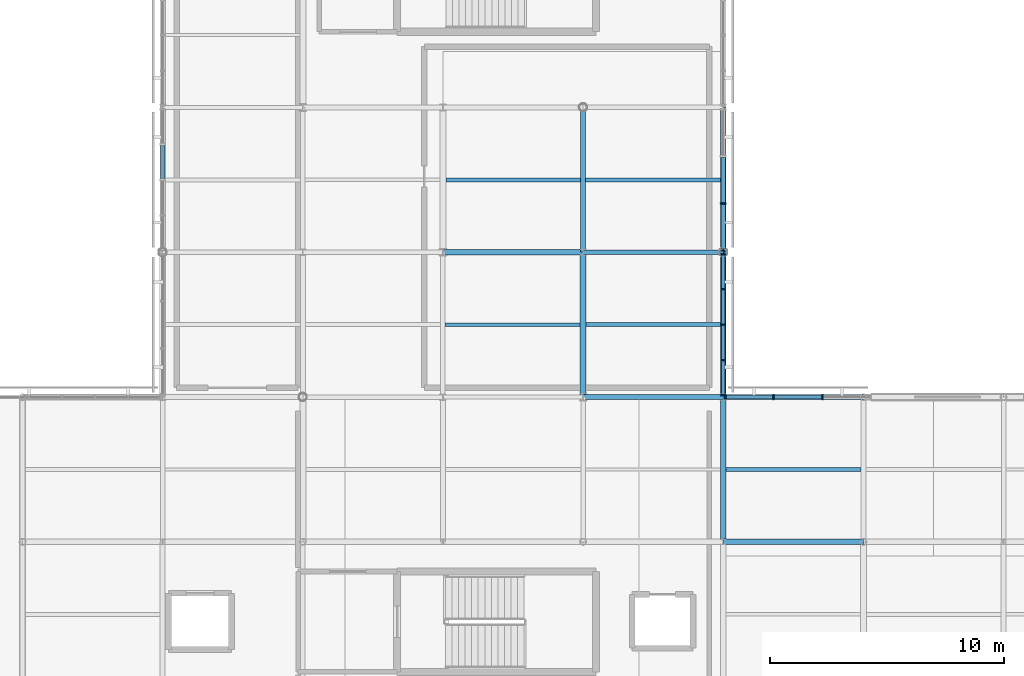
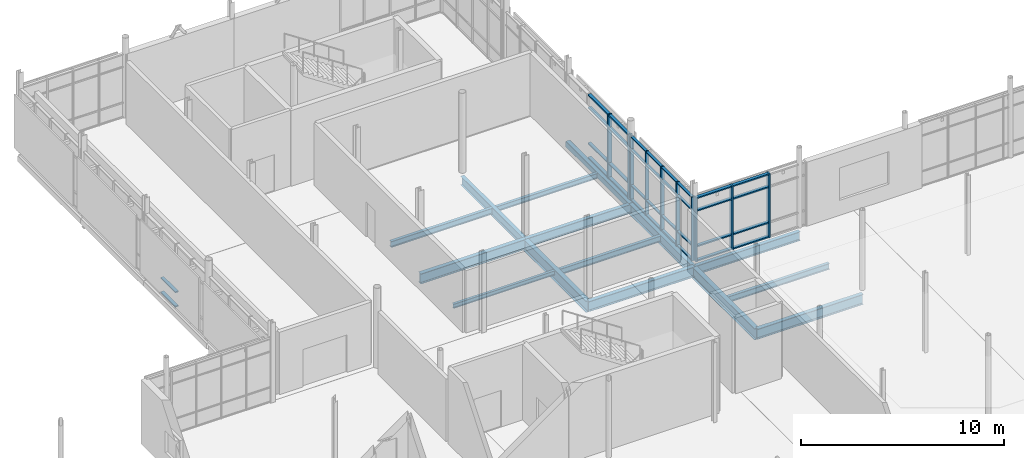
# One storey, part 31 of 66: 44 members, 15 beams, 4 elements without a shape of their own.
"""IFC4 building model written with IfcOpenShell, lengths in metres."""

from ifc_helpers import new_model, si_unit, direction, frame, origin, origin_2d, place, context, subcontext, project, spatial, rectangle, hollow_rectangle, i_section, extrude, material, layer, layer_set, material_profile, profile_set, type_object, element, aggregate, save


model = new_model("IFC4")

# Units and contexts
model_context = context("Model", 3, precision=1e-05, world=origin(), true_north=direction((0.0, 1.0)))
body_context = subcontext(model_context, "Body", "Model", "MODEL_VIEW")
ifc_project = project(units=[si_unit("LENGTHUNIT", "METRE"), si_unit("AREAUNIT", "SQUARE_METRE"), si_unit("VOLUMEUNIT", "CUBIC_METRE"), si_unit("PLANEANGLEUNIT", "RADIAN"), si_unit("MASSUNIT", "GRAM", prefix="KILO")], contexts=[model_context])

# Site, building, storey
site_placement = place(None, origin())
site = spatial("IfcSite", under=ifc_project, at=site_placement, CompositionType="ELEMENT")
building_placement = place(site_placement, origin())
building = spatial("IfcBuilding", under=site, at=building_placement, Name="Mirzam Square Science Centre", CompositionType="ELEMENT")
storey_placement = place(building_placement, frame((0.0, 0.0, 15.60009765625)))
storey = spatial("IfcBuildingStorey", under=building, at=storey_placement, Name="L03", CompositionType="ELEMENT", Elevation=15.60009765625)

# Beams
ifc_material_1 = material(Name="Steel S355", Category="steel")
ifc_material_profile_1 = material_profile(ifc_material_1, i_section(OverallWidth=0.2099609375, OverallDepth=0.53662109375, WebThickness=0.0107421875, FlangeThickness=0.017333984375, FilletRadius=0.0126953125, at=origin_2d()), Name="533x210x101UB")
ifc_profile_set_1 = profile_set([ifc_material_profile_1], Name="Steel S355")
beam_type_1 = type_object("IfcBeamType", Name="BM-UB533", PredefinedType="BEAM", material=ifc_profile_set_1)
for number, where, z_axis, x_axis, name in (
    (1, (138.0, 86.800048828125, -0.5185546875), (1.0, 0.0, 0.0), (0.0, 1.0, 0.0), "L03 girder X24-15"),
    (2, (132.0, 93.0, -0.5185546875), (1.0, 0.0, 0.0), (0.0, 1.0, 0.0), "L03 girder X23-16"),
):
    element("IfcBeam", number, at=place(storey_placement, frame(where, z_axis=z_axis, x_axis=x_axis)), inside=storey, type_object=beam_type_1, Name=name, PredefinedType="BEAM", context=body_context, shape_type="SweptSolid", body=[
        extrude(i_section(OverallWidth=0.2099609375, OverallDepth=0.53662109375, WebThickness=0.0107421875, FlangeThickness=0.017333984375, FilletRadius=0.0126953125, at=origin_2d()), origin(), (0.0, 0.0, 1.0), 6.0),
    ])
beam_1_placement = place(storey_placement, frame((132.0, 93.0, -0.5185546875), z_axis=(0.0, 1.0, 0.0), x_axis=(-1.0, 0.0, 0.0)))
element("IfcBeam", 3, at=beam_1_placement, inside=storey, type_object=beam_type_1, Name="L03 girder Y23-16", PredefinedType="BEAM", context=body_context, shape_type="SweptSolid", body=[
    extrude(i_section(OverallWidth=0.2099609375, OverallDepth=0.53662109375, WebThickness=0.0107421875, FlangeThickness=0.017333984375, FilletRadius=0.0126953125, at=origin_2d()), origin(), (0.0, 0.0, 1.0), 6.199951171875),
])
ifc_material_profile_2 = material_profile(ifc_material_1, i_section(OverallWidth=0.22900390625, OverallDepth=0.6123046875, WebThickness=0.011962890625, FlangeThickness=0.01953125, FilletRadius=0.0126953125, at=origin_2d()), Name="610x229x125UB")
ifc_profile_set_2 = profile_set([ifc_material_profile_2], Name="Steel S355")
beam_type_2 = type_object("IfcBeamType", Name="BM-UB610", PredefinedType="BEAM", material=ifc_profile_set_2)
for number, where, z_axis, x_axis, name in (
    (4, (138.0, 80.60009765625, -0.55615234375), (1.0, 0.0, 0.0), (0.0, 1.0, 0.0), "L03 girder X24-14"),
    (5, (132.0, 86.800048828125, -0.55615234375), (1.0, 0.0, 0.0), (0.0, 1.0, 0.0), "L03 girder X23-15"),
    (6, (126.0, 93.0, -0.55615234375), (1.0, 0.0, 0.0), (0.0, 1.0, 0.0), "L03 girder X22-16"),
):
    element("IfcBeam", number, at=place(storey_placement, frame(where, z_axis=z_axis, x_axis=x_axis)), inside=storey, type_object=beam_type_2, Name=name, PredefinedType="BEAM", context=body_context, shape_type="SweptSolid", body=[
        extrude(i_section(OverallWidth=0.22900390625, OverallDepth=0.6123046875, WebThickness=0.011962890625, FlangeThickness=0.01953125, FilletRadius=0.0126953125, at=origin_2d()), origin(), (0.0, 0.0, 1.0), 6.0),
    ])
beam_2_placement = place(storey_placement, frame((138.0, 86.800048828125, -0.55615234375), z_axis=(0.0, 1.0, 0.0), x_axis=(-1.0, 0.0, 0.0)))
element("IfcBeam", 7, at=beam_2_placement, inside=storey, type_object=beam_type_2, Name="L03 girder Y24-15", PredefinedType="BEAM", context=body_context, shape_type="SweptSolid", body=[
    extrude(i_section(OverallWidth=0.22900390625, OverallDepth=0.6123046875, WebThickness=0.011962890625, FlangeThickness=0.01953125, FilletRadius=0.0126953125, at=origin_2d()), origin(), (0.0, 0.0, 1.0), 6.199951171875),
])
ifc_material_profile_3 = material_profile(ifc_material_1, i_section(OverallWidth=0.25439453125, OverallDepth=0.6875, WebThickness=0.01318359375, FlangeThickness=0.02099609375, FilletRadius=0.01513671875, at=origin_2d()), Name="686x254x152UB")
ifc_profile_set_3 = profile_set([ifc_material_profile_3], Name="Steel S355")
beam_type_3 = type_object("IfcBeamType", Name="BM-UB686", PredefinedType="BEAM", material=ifc_profile_set_3)
for number, where, z_axis, x_axis, name in (
    (8, (132.0, 86.800048828125, -0.593994140625), (0.0, 1.0, 0.0), (-1.0, 0.0, 0.0), "L03 girder Y23-15"),
    (9, (138.0, 80.60009765625, -0.593994140625), (0.0, 1.0, 0.0), (-1.0, 0.0, 0.0), "L03 girder Y24-14"),
):
    element("IfcBeam", number, at=place(storey_placement, frame(where, z_axis=z_axis, x_axis=x_axis)), inside=storey, type_object=beam_type_3, Name=name, PredefinedType="BEAM", context=body_context, shape_type="SweptSolid", body=[
        extrude(i_section(OverallWidth=0.25439453125, OverallDepth=0.6875, WebThickness=0.01318359375, FlangeThickness=0.02099609375, FilletRadius=0.01513671875, at=origin_2d()), origin(), (0.0, 0.0, 1.0), 6.199951171875),
    ])

# Curtain wall, members
ifc_material_2 = material(Name="Anodised Aluminium and Low-E Solar Glass", Category="aluminium")
ifc_layer_1 = layer(ifc_material_2, 0.199951171875)
ifc_layer_set_1 = layer_set([ifc_layer_1], Name="CW-EAST-A")
curtain_wall_type_1 = type_object("IfcCurtainWallType", Name="CW-EAST-A", PredefinedType="USERDEFINED", material=ifc_layer_set_1)
curtain_wall_1_placement = place(storey_placement, origin())
curtain_wall_1 = element("IfcCurtainWall", 10, at=curtain_wall_1_placement, inside=storey, type_object=curtain_wall_type_1, Name="L03 unitised curtain wall 139", ObjectType="UNITISED CURTAIN WALL", PredefinedType="USERDEFINED")
ifc_material_3 = material(Name="Anodised Architectural Aluminium 6063-T6", Category="aluminium")
ifc_material_profile_4 = material_profile(ifc_material_3, rectangle(XDim=0.06494140625, YDim=0.199951171875, at=origin_2d()), Name="ALU-MULL-200x65x5")
ifc_profile_set_4 = profile_set([ifc_material_profile_4], Name="Anodised Architectural Aluminium 6063-T6")
member_type_1 = type_object("IfcMemberType", Name="CWM-200", PredefinedType="MULLION", material=ifc_profile_set_4)
member_1_placement = place(storey_placement, frame((138.0, 86.887451171875, 0.0), z_axis=(0.0, 0.0, 1.0), x_axis=(0.0, 1.0, 0.0)))
member_1 = element("IfcMember", 11, at=member_1_placement, type_object=member_type_1, Name="CW-05 mullion 1", PredefinedType="MULLION", context=body_context, shape_type="SweptSolid", body=[
    extrude(rectangle(XDim=0.06494140625, YDim=0.199951171875, at=origin_2d()), origin(), (0.0, 0.0, 1.0), 3.83984375),
])
member_2_placement = place(storey_placement, frame((138.0, 88.37744140625, 0.0), z_axis=(0.0, 0.0, 1.0), x_axis=(0.0, 1.0, 0.0)))
member_2 = element("IfcMember", 12, at=member_2_placement, type_object=member_type_1, Name="CW-05 mullion 2", PredefinedType="MULLION", context=body_context, shape_type="SweptSolid", body=[
    extrude(rectangle(XDim=0.06494140625, YDim=0.199951171875, at=origin_2d()), origin(), (0.0, 0.0, 1.0), 3.83984375),
])
member_3_placement = place(storey_placement, frame((138.0, 89.89990234375, 0.0), z_axis=(0.0, 0.0, 1.0), x_axis=(0.0, 1.0, 0.0)))
member_3 = element("IfcMember", 13, at=member_3_placement, type_object=member_type_1, Name="CW-05 mullion 3", PredefinedType="MULLION", context=body_context, shape_type="SweptSolid", body=[
    extrude(rectangle(XDim=0.06494140625, YDim=0.199951171875, at=origin_2d()), origin(), (0.0, 0.0, 1.0), 3.83984375),
])
member_4_placement = place(storey_placement, frame((138.0, 91.422607421875, 0.0), z_axis=(0.0, 0.0, 1.0), x_axis=(0.0, 1.0, 0.0)))
member_4 = element("IfcMember", 14, at=member_4_placement, type_object=member_type_1, Name="CW-05 mullion 4", PredefinedType="MULLION", context=body_context, shape_type="SweptSolid", body=[
    extrude(rectangle(XDim=0.06494140625, YDim=0.199951171875, at=origin_2d()), origin(), (0.0, 0.0, 1.0), 3.83984375),
])
member_5_placement = place(storey_placement, frame((138.0, 92.91259765625, 0.0), z_axis=(0.0, 0.0, 1.0), x_axis=(0.0, 1.0, 0.0)))
member_5 = element("IfcMember", 15, at=member_5_placement, type_object=member_type_1, Name="CW-05 mullion 5", PredefinedType="MULLION", context=body_context, shape_type="SweptSolid", body=[
    extrude(rectangle(XDim=0.06494140625, YDim=0.199951171875, at=origin_2d()), origin(), (0.0, 0.0, 1.0), 3.83984375),
])

ifc_layer_2 = layer(ifc_material_2, 0.239990234375)
ifc_layer_set_2 = layer_set([ifc_layer_2], Name="CW-EAST-B")
curtain_wall_type_2 = type_object("IfcCurtainWallType", Name="CW-EAST-B", PredefinedType="USERDEFINED", material=ifc_layer_set_2)
curtain_wall_2_placement = place(storey_placement, origin())
curtain_wall_2 = element("IfcCurtainWall", 16, at=curtain_wall_2_placement, inside=storey, type_object=curtain_wall_type_2, Name="L03 unitised curtain wall 131", ObjectType="UNITISED CURTAIN WALL", PredefinedType="USERDEFINED")
ifc_material_profile_5 = material_profile(ifc_material_3, rectangle(XDim=0.074951171875, YDim=0.239990234375, at=origin_2d()), Name="ALU-MULL-240x75x5")
ifc_profile_set_5 = profile_set([ifc_material_profile_5], Name="Anodised Architectural Aluminium 6063-T6")
member_type_2 = type_object("IfcMemberType", Name="CWM-240", PredefinedType="MULLION", material=ifc_profile_set_5)
member_6_placement = place(storey_placement, frame((142.248291015625, 86.800048828125, 0.0), z_axis=(0.0, 0.0, 1.0), x_axis=(-1.0, 0.0, 0.0)))
member_6 = element("IfcMember", 17, at=member_6_placement, type_object=member_type_2, Name="CW-06 mullion 2", PredefinedType="MULLION", context=body_context, shape_type="SweptSolid", body=[
    extrude(rectangle(XDim=0.074951171875, YDim=0.239990234375, at=origin_2d()), origin(), (0.0, 0.0, 1.0), 3.83984375),
])
member_7_placement = place(storey_placement, frame((140.151611328125, 86.800048828125, 0.0), z_axis=(0.0, 0.0, 1.0), x_axis=(-1.0, 0.0, 0.0)))
member_7 = element("IfcMember", 18, at=member_7_placement, type_object=member_type_2, Name="CW-06 mullion 3", PredefinedType="MULLION", context=body_context, shape_type="SweptSolid", body=[
    extrude(rectangle(XDim=0.074951171875, YDim=0.239990234375, at=origin_2d()), origin(), (0.0, 0.0, 1.0), 3.83984375),
])
member_8_placement = place(storey_placement, frame((138.092529296875, 86.800048828125, 0.0), z_axis=(0.0, 0.0, 1.0), x_axis=(-1.0, 0.0, 0.0)))
member_8 = element("IfcMember", 19, at=member_8_placement, type_object=member_type_2, Name="CW-06 mullion 4", PredefinedType="MULLION", context=body_context, shape_type="SweptSolid", body=[
    extrude(rectangle(XDim=0.074951171875, YDim=0.239990234375, at=origin_2d()), origin(), (0.0, 0.0, 1.0), 3.83984375),
])

curtain_wall_3_placement = place(storey_placement, origin())
curtain_wall_3 = element("IfcCurtainWall", 20, at=curtain_wall_3_placement, inside=storey, type_object=curtain_wall_type_2, Name="L03 unitised curtain wall 141", ObjectType="UNITISED CURTAIN WALL", PredefinedType="USERDEFINED")
member_9_placement = place(storey_placement, frame((138.0, 93.092529296875, 0.0), z_axis=(0.0, 0.0, 1.0), x_axis=(0.0, 1.0, 0.0)))
member_9 = element("IfcMember", 21, at=member_9_placement, type_object=member_type_2, Name="CW-06 mullion 1", PredefinedType="MULLION", context=body_context, shape_type="SweptSolid", body=[
    extrude(rectangle(XDim=0.074951171875, YDim=0.239990234375, at=origin_2d()), origin(), (0.0, 0.0, 1.0), 3.83984375),
])
member_10_placement = place(storey_placement, frame((138.0, 95.0849609375, 0.0), z_axis=(0.0, 0.0, 1.0), x_axis=(0.0, 1.0, 0.0)))
member_10 = element("IfcMember", 22, at=member_10_placement, type_object=member_type_2, Name="CW-06 mullion 2", PredefinedType="MULLION", context=body_context, shape_type="SweptSolid", body=[
    extrude(rectangle(XDim=0.074951171875, YDim=0.239990234375, at=origin_2d()), origin(), (0.0, 0.0, 1.0), 3.83984375),
])

# Member
ifc_material_profile_6 = material_profile(ifc_material_3, rectangle(XDim=0.14990234375, YDim=0.06494140625, at=origin_2d()), Name="ALU-TRAN-150x65x4")
ifc_profile_set_6 = profile_set([ifc_material_profile_6], Name="Anodised Architectural Aluminium 6063-T6")
member_type_3 = type_object("IfcMemberType", Name="CWT-150", PredefinedType="USERDEFINED", material=ifc_profile_set_6)
member_11_placement = place(storey_placement, frame((138.0, 86.919921875, 0.032470703125), z_axis=(0.0, 1.0, 0.0), x_axis=(-1.0, 0.0, 0.0)))
member_11 = element("IfcMember", 23, at=member_11_placement, type_object=member_type_3, Name="CW-05 transom 1.1", ObjectType="TRANSOM", PredefinedType="USERDEFINED", context=body_context, shape_type="SweptSolid", body=[
    extrude(rectangle(XDim=0.14990234375, YDim=0.06494140625, at=origin_2d()), origin(), (0.0, 0.0, 1.0), 1.425048828125),
])

member_12_placement = place(storey_placement, frame((138.0, 86.919921875, 0.89990234375), z_axis=(0.0, 1.0, 0.0), x_axis=(-1.0, 0.0, 0.0)))
member_12 = element("IfcMember", 24, at=member_12_placement, type_object=member_type_3, Name="CW-05 transom 1.2", ObjectType="TRANSOM", PredefinedType="USERDEFINED", context=body_context, shape_type="SweptSolid", body=[
    extrude(rectangle(XDim=0.14990234375, YDim=0.06494140625, at=origin_2d()), origin(), (0.0, 0.0, 1.0), 1.425048828125),
])

member_13_placement = place(storey_placement, frame((138.0, 86.919921875, 3.039794921875), z_axis=(0.0, 1.0, 0.0), x_axis=(-1.0, 0.0, 0.0)))
member_13 = element("IfcMember", 25, at=member_13_placement, type_object=member_type_3, Name="CW-05 transom 1.3", ObjectType="TRANSOM", PredefinedType="USERDEFINED", context=body_context, shape_type="SweptSolid", body=[
    extrude(rectangle(XDim=0.14990234375, YDim=0.06494140625, at=origin_2d()), origin(), (0.0, 0.0, 1.0), 1.425048828125),
])

member_14_placement = place(storey_placement, frame((138.0, 86.919921875, 3.807373046875), z_axis=(0.0, 1.0, 0.0), x_axis=(-1.0, 0.0, 0.0)))
member_14 = element("IfcMember", 26, at=member_14_placement, type_object=member_type_3, Name="CW-05 transom 1.4", ObjectType="TRANSOM", PredefinedType="USERDEFINED", context=body_context, shape_type="SweptSolid", body=[
    extrude(rectangle(XDim=0.14990234375, YDim=0.06494140625, at=origin_2d()), origin(), (0.0, 0.0, 1.0), 1.425048828125),
])

member_15_placement = place(storey_placement, frame((138.0, 88.409912109375, 0.032470703125), z_axis=(0.0, 1.0, 0.0), x_axis=(-1.0, 0.0, 0.0)))
member_15 = element("IfcMember", 27, at=member_15_placement, type_object=member_type_3, Name="CW-05 transom 2.1", ObjectType="TRANSOM", PredefinedType="USERDEFINED", context=body_context, shape_type="SweptSolid", body=[
    extrude(rectangle(XDim=0.14990234375, YDim=0.06494140625, at=origin_2d()), origin(), (0.0, 0.0, 1.0), 1.45751953125),
])

member_16_placement = place(storey_placement, frame((138.0, 88.409912109375, 0.89990234375), z_axis=(0.0, 1.0, 0.0), x_axis=(-1.0, 0.0, 0.0)))
member_16 = element("IfcMember", 28, at=member_16_placement, type_object=member_type_3, Name="CW-05 transom 2.2", ObjectType="TRANSOM", PredefinedType="USERDEFINED", context=body_context, shape_type="SweptSolid", body=[
    extrude(rectangle(XDim=0.14990234375, YDim=0.06494140625, at=origin_2d()), origin(), (0.0, 0.0, 1.0), 1.45751953125),
])

member_17_placement = place(storey_placement, frame((138.0, 88.409912109375, 3.039794921875), z_axis=(0.0, 1.0, 0.0), x_axis=(-1.0, 0.0, 0.0)))
member_17 = element("IfcMember", 29, at=member_17_placement, type_object=member_type_3, Name="CW-05 transom 2.3", ObjectType="TRANSOM", PredefinedType="USERDEFINED", context=body_context, shape_type="SweptSolid", body=[
    extrude(rectangle(XDim=0.14990234375, YDim=0.06494140625, at=origin_2d()), origin(), (0.0, 0.0, 1.0), 1.45751953125),
])

member_18_placement = place(storey_placement, frame((138.0, 88.409912109375, 3.807373046875), z_axis=(0.0, 1.0, 0.0), x_axis=(-1.0, 0.0, 0.0)))
member_18 = element("IfcMember", 30, at=member_18_placement, type_object=member_type_3, Name="CW-05 transom 2.4", ObjectType="TRANSOM", PredefinedType="USERDEFINED", context=body_context, shape_type="SweptSolid", body=[
    extrude(rectangle(XDim=0.14990234375, YDim=0.06494140625, at=origin_2d()), origin(), (0.0, 0.0, 1.0), 1.45751953125),
])

member_19_placement = place(storey_placement, frame((138.0, 89.9326171875, 0.032470703125), z_axis=(0.0, 1.0, 0.0), x_axis=(-1.0, 0.0, 0.0)))
member_19 = element("IfcMember", 31, at=member_19_placement, type_object=member_type_3, Name="CW-05 transom 3.1", ObjectType="TRANSOM", PredefinedType="USERDEFINED", context=body_context, shape_type="SweptSolid", body=[
    extrude(rectangle(XDim=0.14990234375, YDim=0.06494140625, at=origin_2d()), origin(), (0.0, 0.0, 1.0), 1.457275390625),
])

member_20_placement = place(storey_placement, frame((138.0, 89.9326171875, 0.89990234375), z_axis=(0.0, 1.0, 0.0), x_axis=(-1.0, 0.0, 0.0)))
member_20 = element("IfcMember", 32, at=member_20_placement, type_object=member_type_3, Name="CW-05 transom 3.2", ObjectType="TRANSOM", PredefinedType="USERDEFINED", context=body_context, shape_type="SweptSolid", body=[
    extrude(rectangle(XDim=0.14990234375, YDim=0.06494140625, at=origin_2d()), origin(), (0.0, 0.0, 1.0), 1.457275390625),
])

member_21_placement = place(storey_placement, frame((138.0, 89.9326171875, 3.039794921875), z_axis=(0.0, 1.0, 0.0), x_axis=(-1.0, 0.0, 0.0)))
member_21 = element("IfcMember", 33, at=member_21_placement, type_object=member_type_3, Name="CW-05 transom 3.3", ObjectType="TRANSOM", PredefinedType="USERDEFINED", context=body_context, shape_type="SweptSolid", body=[
    extrude(rectangle(XDim=0.14990234375, YDim=0.06494140625, at=origin_2d()), origin(), (0.0, 0.0, 1.0), 1.457275390625),
])

member_22_placement = place(storey_placement, frame((138.0, 89.9326171875, 3.807373046875), z_axis=(0.0, 1.0, 0.0), x_axis=(-1.0, 0.0, 0.0)))
member_22 = element("IfcMember", 34, at=member_22_placement, type_object=member_type_3, Name="CW-05 transom 3.4", ObjectType="TRANSOM", PredefinedType="USERDEFINED", context=body_context, shape_type="SweptSolid", body=[
    extrude(rectangle(XDim=0.14990234375, YDim=0.06494140625, at=origin_2d()), origin(), (0.0, 0.0, 1.0), 1.457275390625),
])

member_23_placement = place(storey_placement, frame((138.0, 91.455078125, 0.032470703125), z_axis=(0.0, 1.0, 0.0), x_axis=(-1.0, 0.0, 0.0)))
member_23 = element("IfcMember", 35, at=member_23_placement, type_object=member_type_3, Name="CW-05 transom 4.1", ObjectType="TRANSOM", PredefinedType="USERDEFINED", context=body_context, shape_type="SweptSolid", body=[
    extrude(rectangle(XDim=0.14990234375, YDim=0.06494140625, at=origin_2d()), origin(), (0.0, 0.0, 1.0), 1.4248046875),
])

member_24_placement = place(storey_placement, frame((138.0, 91.455078125, 0.89990234375), z_axis=(0.0, 1.0, 0.0), x_axis=(-1.0, 0.0, 0.0)))
member_24 = element("IfcMember", 36, at=member_24_placement, type_object=member_type_3, Name="CW-05 transom 4.2", ObjectType="TRANSOM", PredefinedType="USERDEFINED", context=body_context, shape_type="SweptSolid", body=[
    extrude(rectangle(XDim=0.14990234375, YDim=0.06494140625, at=origin_2d()), origin(), (0.0, 0.0, 1.0), 1.4248046875),
])

member_25_placement = place(storey_placement, frame((138.0, 91.455078125, 3.039794921875), z_axis=(0.0, 1.0, 0.0), x_axis=(-1.0, 0.0, 0.0)))
member_25 = element("IfcMember", 37, at=member_25_placement, type_object=member_type_3, Name="CW-05 transom 4.3", ObjectType="TRANSOM", PredefinedType="USERDEFINED", context=body_context, shape_type="SweptSolid", body=[
    extrude(rectangle(XDim=0.14990234375, YDim=0.06494140625, at=origin_2d()), origin(), (0.0, 0.0, 1.0), 1.4248046875),
])

member_26_placement = place(storey_placement, frame((138.0, 91.455078125, 3.807373046875), z_axis=(0.0, 1.0, 0.0), x_axis=(-1.0, 0.0, 0.0)))
member_26 = element("IfcMember", 38, at=member_26_placement, type_object=member_type_3, Name="CW-05 transom 4.4", ObjectType="TRANSOM", PredefinedType="USERDEFINED", context=body_context, shape_type="SweptSolid", body=[
    extrude(rectangle(XDim=0.14990234375, YDim=0.06494140625, at=origin_2d()), origin(), (0.0, 0.0, 1.0), 1.4248046875),
])

aggregate(curtain_wall_1, [member_1, member_2, member_3, member_4, member_5, member_11, member_12, member_13, member_14, member_15, member_16, member_17, member_18, member_19, member_20, member_21, member_22, member_23, member_24, member_25, member_26])

ifc_material_profile_7 = material_profile(ifc_material_3, rectangle(XDim=0.179931640625, YDim=0.074951171875, at=origin_2d()), Name="ALU-TRAN-180x75x5")
ifc_profile_set_7 = profile_set([ifc_material_profile_7], Name="Anodised Architectural Aluminium 6063-T6")
member_type_4 = type_object("IfcMemberType", Name="CWT-180", PredefinedType="USERDEFINED", material=ifc_profile_set_7)
member_27_placement = place(storey_placement, frame((142.2109375, 86.800048828125, 0.037353515625), z_axis=(-1.0, 0.0, 0.0), x_axis=(0.0, -1.0, 0.0)))
member_27 = element("IfcMember", 39, at=member_27_placement, type_object=member_type_4, Name="CW-06 transom 2.1", ObjectType="TRANSOM", PredefinedType="USERDEFINED", context=body_context, shape_type="SweptSolid", body=[
    extrude(rectangle(XDim=0.179931640625, YDim=0.074951171875, at=origin_2d()), origin(), (0.0, 0.0, 1.0), 2.021728515625),
])

member_28_placement = place(storey_placement, frame((142.2109375, 86.800048828125, 0.89990234375), z_axis=(-1.0, 0.0, 0.0), x_axis=(0.0, -1.0, 0.0)))
member_28 = element("IfcMember", 40, at=member_28_placement, type_object=member_type_4, Name="CW-06 transom 2.2", ObjectType="TRANSOM", PredefinedType="USERDEFINED", context=body_context, shape_type="SweptSolid", body=[
    extrude(rectangle(XDim=0.179931640625, YDim=0.074951171875, at=origin_2d()), origin(), (0.0, 0.0, 1.0), 2.021728515625),
])

member_29_placement = place(storey_placement, frame((142.2109375, 86.800048828125, 3.039794921875), z_axis=(-1.0, 0.0, 0.0), x_axis=(0.0, -1.0, 0.0)))
member_29 = element("IfcMember", 41, at=member_29_placement, type_object=member_type_4, Name="CW-06 transom 2.3", ObjectType="TRANSOM", PredefinedType="USERDEFINED", context=body_context, shape_type="SweptSolid", body=[
    extrude(rectangle(XDim=0.179931640625, YDim=0.074951171875, at=origin_2d()), origin(), (0.0, 0.0, 1.0), 2.021728515625),
])

member_30_placement = place(storey_placement, frame((142.2109375, 86.800048828125, 3.802490234375), z_axis=(-1.0, 0.0, 0.0), x_axis=(0.0, -1.0, 0.0)))
member_30 = element("IfcMember", 42, at=member_30_placement, type_object=member_type_4, Name="CW-06 transom 2.4", ObjectType="TRANSOM", PredefinedType="USERDEFINED", context=body_context, shape_type="SweptSolid", body=[
    extrude(rectangle(XDim=0.179931640625, YDim=0.074951171875, at=origin_2d()), origin(), (0.0, 0.0, 1.0), 2.021728515625),
])

member_31_placement = place(storey_placement, frame((140.1142578125, 86.800048828125, 0.037353515625), z_axis=(-1.0, 0.0, 0.0), x_axis=(0.0, -1.0, 0.0)))
member_31 = element("IfcMember", 43, at=member_31_placement, type_object=member_type_4, Name="CW-06 transom 3.1", ObjectType="TRANSOM", PredefinedType="USERDEFINED", context=body_context, shape_type="SweptSolid", body=[
    extrude(rectangle(XDim=0.179931640625, YDim=0.074951171875, at=origin_2d()), origin(), (0.0, 0.0, 1.0), 1.984375),
])

member_32_placement = place(storey_placement, frame((140.1142578125, 86.800048828125, 0.89990234375), z_axis=(-1.0, 0.0, 0.0), x_axis=(0.0, -1.0, 0.0)))
member_32 = element("IfcMember", 44, at=member_32_placement, type_object=member_type_4, Name="CW-06 transom 3.2", ObjectType="TRANSOM", PredefinedType="USERDEFINED", context=body_context, shape_type="SweptSolid", body=[
    extrude(rectangle(XDim=0.179931640625, YDim=0.074951171875, at=origin_2d()), origin(), (0.0, 0.0, 1.0), 1.984375),
])

member_33_placement = place(storey_placement, frame((140.1142578125, 86.800048828125, 3.039794921875), z_axis=(-1.0, 0.0, 0.0), x_axis=(0.0, -1.0, 0.0)))
member_33 = element("IfcMember", 45, at=member_33_placement, type_object=member_type_4, Name="CW-06 transom 3.3", ObjectType="TRANSOM", PredefinedType="USERDEFINED", context=body_context, shape_type="SweptSolid", body=[
    extrude(rectangle(XDim=0.179931640625, YDim=0.074951171875, at=origin_2d()), origin(), (0.0, 0.0, 1.0), 1.984375),
])

member_34_placement = place(storey_placement, frame((140.1142578125, 86.800048828125, 3.802490234375), z_axis=(-1.0, 0.0, 0.0), x_axis=(0.0, -1.0, 0.0)))
member_34 = element("IfcMember", 46, at=member_34_placement, type_object=member_type_4, Name="CW-06 transom 3.4", ObjectType="TRANSOM", PredefinedType="USERDEFINED", context=body_context, shape_type="SweptSolid", body=[
    extrude(rectangle(XDim=0.179931640625, YDim=0.074951171875, at=origin_2d()), origin(), (0.0, 0.0, 1.0), 1.984375),
])

aggregate(curtain_wall_2, [member_6, member_7, member_8, member_27, member_28, member_29, member_30, member_31, member_32, member_33, member_34])

# Curtain wall, members
ifc_layer_3 = layer(ifc_material_2, 0.159912109375)
ifc_layer_set_3 = layer_set([ifc_layer_3], Name="CW-COURT-A")
curtain_wall_type_3 = type_object("IfcCurtainWallType", Name="CW-COURT-A", PredefinedType="USERDEFINED", material=ifc_layer_set_3)
curtain_wall_4_placement = place(storey_placement, origin())
curtain_wall_4 = element("IfcCurtainWall", 47, at=curtain_wall_4_placement, inside=storey, type_object=curtain_wall_type_3, Name="L03 unitised curtain wall 140", ObjectType="UNITISED CURTAIN WALL", PredefinedType="USERDEFINED")
member_35_placement = place(storey_placement, frame((114.0, 97.5849609375, 0.037353515625), z_axis=(0.0, -1.0, 0.0), x_axis=(1.0, 0.0, 0.0)))
member_35 = element("IfcMember", 48, at=member_35_placement, type_object=member_type_4, Name="CW-03 transom 2.1", ObjectType="TRANSOM", PredefinedType="USERDEFINED", context=body_context, shape_type="SweptSolid", body=[
    extrude(rectangle(XDim=0.179931640625, YDim=0.074951171875, at=origin_2d()), origin(), (0.0, 0.0, 1.0), 1.447509765625),
])
member_36_placement = place(storey_placement, frame((114.0, 97.5849609375, 0.89990234375), z_axis=(0.0, -1.0, 0.0), x_axis=(1.0, 0.0, 0.0)))
member_36 = element("IfcMember", 49, at=member_36_placement, type_object=member_type_4, Name="CW-03 transom 2.2", ObjectType="TRANSOM", PredefinedType="USERDEFINED", context=body_context, shape_type="SweptSolid", body=[
    extrude(rectangle(XDim=0.179931640625, YDim=0.074951171875, at=origin_2d()), origin(), (0.0, 0.0, 1.0), 1.447509765625),
])
aggregate(curtain_wall_4, [member_35, member_36])

# Member
member_37_placement = place(storey_placement, frame((138.0, 93.1298828125, 0.037353515625), z_axis=(0.0, 1.0, 0.0), x_axis=(-1.0, 0.0, 0.0)))
member_37 = element("IfcMember", 50, at=member_37_placement, type_object=member_type_4, Name="CW-06 transom 1.1", ObjectType="TRANSOM", PredefinedType="USERDEFINED", context=body_context, shape_type="SweptSolid", body=[
    extrude(rectangle(XDim=0.179931640625, YDim=0.074951171875, at=origin_2d()), origin(), (0.0, 0.0, 1.0), 1.917724609375),
])

member_38_placement = place(storey_placement, frame((138.0, 93.1298828125, 0.89990234375), z_axis=(0.0, 1.0, 0.0), x_axis=(-1.0, 0.0, 0.0)))
member_38 = element("IfcMember", 51, at=member_38_placement, type_object=member_type_4, Name="CW-06 transom 1.2", ObjectType="TRANSOM", PredefinedType="USERDEFINED", context=body_context, shape_type="SweptSolid", body=[
    extrude(rectangle(XDim=0.179931640625, YDim=0.074951171875, at=origin_2d()), origin(), (0.0, 0.0, 1.0), 1.917724609375),
])

member_39_placement = place(storey_placement, frame((138.0, 93.1298828125, 3.039794921875), z_axis=(0.0, 1.0, 0.0), x_axis=(-1.0, 0.0, 0.0)))
member_39 = element("IfcMember", 52, at=member_39_placement, type_object=member_type_4, Name="CW-06 transom 1.3", ObjectType="TRANSOM", PredefinedType="USERDEFINED", context=body_context, shape_type="SweptSolid", body=[
    extrude(rectangle(XDim=0.179931640625, YDim=0.074951171875, at=origin_2d()), origin(), (0.0, 0.0, 1.0), 1.917724609375),
])

member_40_placement = place(storey_placement, frame((138.0, 93.1298828125, 3.802490234375), z_axis=(0.0, 1.0, 0.0), x_axis=(-1.0, 0.0, 0.0)))
member_40 = element("IfcMember", 53, at=member_40_placement, type_object=member_type_4, Name="CW-06 transom 1.4", ObjectType="TRANSOM", PredefinedType="USERDEFINED", context=body_context, shape_type="SweptSolid", body=[
    extrude(rectangle(XDim=0.179931640625, YDim=0.074951171875, at=origin_2d()), origin(), (0.0, 0.0, 1.0), 1.917724609375),
])

member_41_placement = place(storey_placement, frame((138.0, 95.12255859375, 0.037353515625), z_axis=(0.0, 1.0, 0.0), x_axis=(-1.0, 0.0, 0.0)))
member_41 = element("IfcMember", 54, at=member_41_placement, type_object=member_type_4, Name="CW-06 transom 2.1", ObjectType="TRANSOM", PredefinedType="USERDEFINED", context=body_context, shape_type="SweptSolid", body=[
    extrude(rectangle(XDim=0.179931640625, YDim=0.074951171875, at=origin_2d()), origin(), (0.0, 0.0, 1.0), 1.954833984375),
])

member_42_placement = place(storey_placement, frame((138.0, 95.12255859375, 0.89990234375), z_axis=(0.0, 1.0, 0.0), x_axis=(-1.0, 0.0, 0.0)))
member_42 = element("IfcMember", 55, at=member_42_placement, type_object=member_type_4, Name="CW-06 transom 2.2", ObjectType="TRANSOM", PredefinedType="USERDEFINED", context=body_context, shape_type="SweptSolid", body=[
    extrude(rectangle(XDim=0.179931640625, YDim=0.074951171875, at=origin_2d()), origin(), (0.0, 0.0, 1.0), 1.954833984375),
])

member_43_placement = place(storey_placement, frame((138.0, 95.12255859375, 3.039794921875), z_axis=(0.0, 1.0, 0.0), x_axis=(-1.0, 0.0, 0.0)))
member_43 = element("IfcMember", 56, at=member_43_placement, type_object=member_type_4, Name="CW-06 transom 2.3", ObjectType="TRANSOM", PredefinedType="USERDEFINED", context=body_context, shape_type="SweptSolid", body=[
    extrude(rectangle(XDim=0.179931640625, YDim=0.074951171875, at=origin_2d()), origin(), (0.0, 0.0, 1.0), 1.954833984375),
])

member_44_placement = place(storey_placement, frame((138.0, 95.12255859375, 3.802490234375), z_axis=(0.0, 1.0, 0.0), x_axis=(-1.0, 0.0, 0.0)))
member_44 = element("IfcMember", 57, at=member_44_placement, type_object=member_type_4, Name="CW-06 transom 2.4", ObjectType="TRANSOM", PredefinedType="USERDEFINED", context=body_context, shape_type="SweptSolid", body=[
    extrude(rectangle(XDim=0.179931640625, YDim=0.074951171875, at=origin_2d()), origin(), (0.0, 0.0, 1.0), 1.954833984375),
])

aggregate(curtain_wall_3, [member_9, member_10, member_37, member_38, member_39, member_40, member_41, member_42, member_43, member_44])

# Beams
ifc_material_profile_8 = material_profile(ifc_material_1, i_section(OverallWidth=0.146484375, OverallDepth=0.256103515625, WebThickness=0.00634765625, FlangeThickness=0.010986328125, FilletRadius=0.007568359375, at=origin_2d()), Name="254x146x37UB")
ifc_profile_set_8 = profile_set([ifc_material_profile_8], Name="Steel S355")
beam_type_4 = type_object("IfcBeamType", Name="JS-UB254", PredefinedType="JOIST", material=ifc_profile_set_8)
beam_3_placement = place(storey_placement, frame((126.095703125, 89.89990234375, -0.378173828125), z_axis=(1.0, 0.0, 0.0), x_axis=(0.0, 1.0, 0.0)))
element("IfcBeam", 58, at=beam_3_placement, inside=storey, type_object=beam_type_4, Name="L03 composite joist 22-15", PredefinedType="JOIST", context=body_context, shape_type="SweptSolid", body=[
    extrude(i_section(OverallWidth=0.146484375, OverallDepth=0.256103515625, WebThickness=0.00634765625, FlangeThickness=0.010986328125, FilletRadius=0.007568359375, at=origin_2d()), origin(), (0.0, 0.0, 1.0), 5.777099609375),
])
ifc_material_profile_9 = material_profile(ifc_material_1, i_section(OverallWidth=0.165771484375, OverallDepth=0.306640625, WebThickness=0.006591796875, FlangeThickness=0.01171875, FilletRadius=0.0087890625, at=origin_2d()), Name="305x165x46UB")
ifc_profile_set_9 = profile_set([ifc_material_profile_9], Name="Steel S355")
beam_type_5 = type_object("IfcBeamType", Name="JS-UB305", PredefinedType="JOIST", material=ifc_profile_set_9)
beam_4_placement = place(storey_placement, frame((132.10498046875, 96.10009765625, -0.4033203125), z_axis=(1.0, 0.0, 0.0), x_axis=(0.0, 1.0, 0.0)))
element("IfcBeam", 59, at=beam_4_placement, inside=storey, type_object=beam_type_5, Name="L03 composite joist 23-16", PredefinedType="JOIST", context=body_context, shape_type="SweptSolid", body=[
    extrude(i_section(OverallWidth=0.165771484375, OverallDepth=0.306640625, WebThickness=0.006591796875, FlangeThickness=0.01171875, FilletRadius=0.0087890625, at=origin_2d()), origin(), (0.0, 0.0, 1.0), 5.77001953125),
])
ifc_material_profile_10 = material_profile(ifc_material_1, i_section(OverallWidth=0.172119140625, OverallDepth=0.35791015625, WebThickness=0.008056640625, FlangeThickness=0.012939453125, FilletRadius=0.01025390625, at=origin_2d()), Name="356x171x57UB")
ifc_profile_set_10 = profile_set([ifc_material_profile_10], Name="Steel S355")
beam_type_6 = type_object("IfcBeamType", Name="JS-UB356", PredefinedType="JOIST", material=ifc_profile_set_10)
beam_5_placement = place(storey_placement, frame((126.127197265625, 96.10009765625, -0.42919921875), z_axis=(1.0, 0.0, 0.0), x_axis=(0.0, 1.0, 0.0)))
element("IfcBeam", 60, at=beam_5_placement, inside=storey, type_object=beam_type_6, Name="L03 composite joist 22-16", PredefinedType="JOIST", context=body_context, shape_type="SweptSolid", body=[
    extrude(i_section(OverallWidth=0.172119140625, OverallDepth=0.35791015625, WebThickness=0.008056640625, FlangeThickness=0.012939453125, FilletRadius=0.01025390625, at=origin_2d()), origin(), (0.0, 0.0, 1.0), 5.767822265625),
])
beam_6_placement = place(storey_placement, frame((132.127197265625, 89.89990234375, -0.42919921875), z_axis=(1.0, 0.0, 0.0), x_axis=(0.0, 1.0, 0.0)))
element("IfcBeam", 61, at=beam_6_placement, inside=storey, type_object=beam_type_6, Name="L03 composite joist 23-15", PredefinedType="JOIST", context=body_context, shape_type="SweptSolid", body=[
    extrude(i_section(OverallWidth=0.172119140625, OverallDepth=0.35791015625, WebThickness=0.008056640625, FlangeThickness=0.012939453125, FilletRadius=0.01025390625, at=origin_2d()), origin(), (0.0, 0.0, 1.0), 5.75830078125),
])
beam_7_placement = place(storey_placement, frame((138.127197265625, 83.699951171875, -0.42919921875), z_axis=(1.0, 0.0, 0.0), x_axis=(0.0, 1.0, 0.0)))
element("IfcBeam", 62, at=beam_7_placement, inside=storey, type_object=beam_type_6, Name="L03 composite joist 24-14", PredefinedType="JOIST", context=body_context, shape_type="SweptSolid", body=[
    extrude(i_section(OverallWidth=0.172119140625, OverallDepth=0.35791015625, WebThickness=0.008056640625, FlangeThickness=0.012939453125, FilletRadius=0.01025390625, at=origin_2d()), origin(), (0.0, 0.0, 1.0), 5.767822265625),
])
ifc_material_profile_11 = material_profile(ifc_material_1, hollow_rectangle(XDim=0.25, YDim=0.35009765625, WallThickness=0.012451171875, InnerFilletRadius=0.012451171875, OuterFilletRadius=0.02490234375, at=origin_2d()), Name="350x250x12.5RHS")
ifc_profile_set_11 = profile_set([ifc_material_profile_11], Name="Steel S355")
beam_type_7 = type_object("IfcBeamType", Name="SP-RHS350", PredefinedType="SPANDREL", material=ifc_profile_set_11)
beam_8_placement = place(storey_placement, frame((138.0, 93.0, -0.425048828125), z_axis=(0.0, 1.0, 0.0), x_axis=(-1.0, 0.0, 0.0)))
element("IfcBeam", 63, at=beam_8_placement, inside=storey, type_object=beam_type_7, Name="L03 girder Y24-16", PredefinedType="SPANDREL", context=body_context, shape_type="SweptSolid", body=[
    extrude(hollow_rectangle(XDim=0.25, YDim=0.35009765625, WallThickness=0.012451171875, InnerFilletRadius=0.012451171875, OuterFilletRadius=0.02490234375, at=origin_2d()), origin(), (0.0, 0.0, 1.0), 6.199951171875),
])

save(model, "model.ifc")
